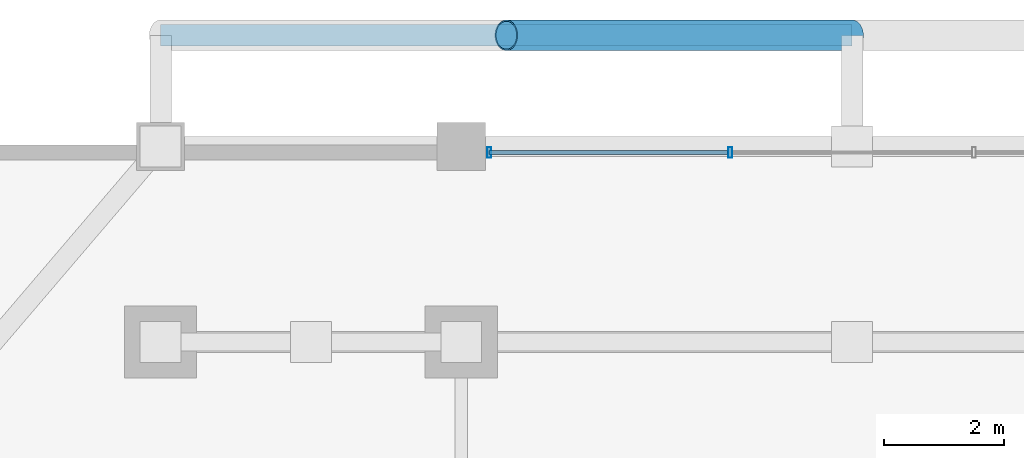
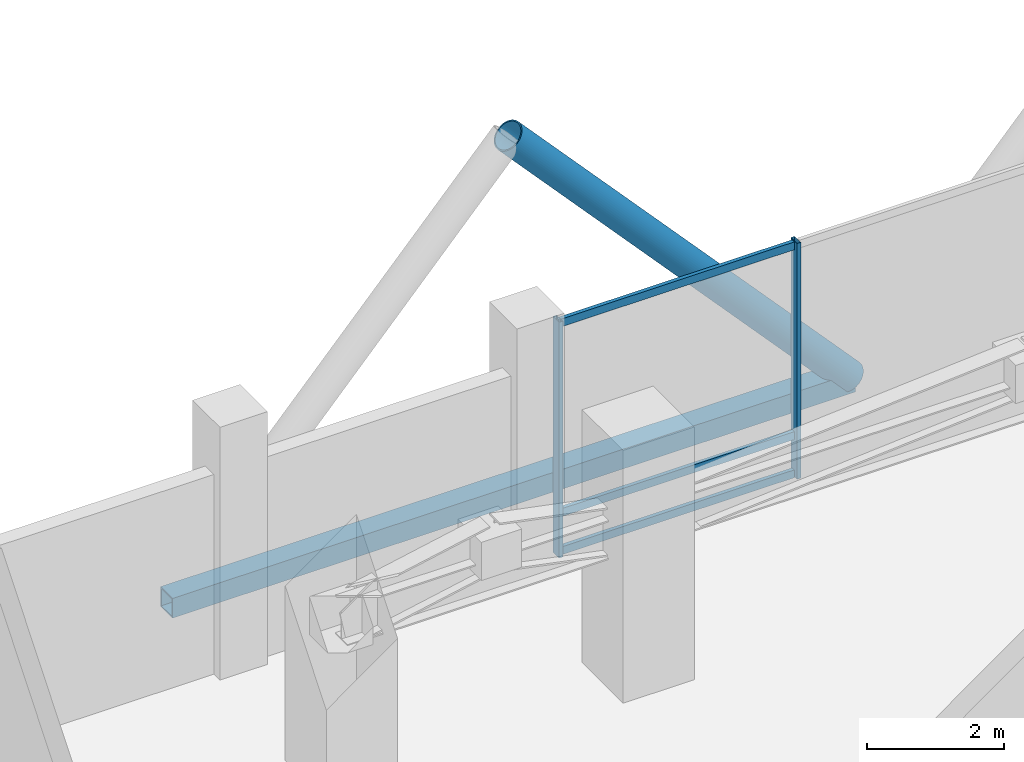
# One storey, part 14 of 22: 7 members, 1 element without a shape of its own.
"""IFC4 building model written with IfcOpenShell, lengths in metres."""

from ifc_helpers import new_model, si_unit, direction, frame, origin, origin_2d, place, context, subcontext, project, spatial, hollow_rectangle, hollow_circle, extrude, material, layer, layer_set, material_profile, profile_set, type_object, element, aggregate, save


model = new_model("IFC4")

# Units and contexts
model_context = context("Model", 3, precision=1e-05, world=origin(), true_north=direction((0.0, 1.0)))
body_context = subcontext(model_context, "Body", "Model", "MODEL_VIEW")
ifc_project = project(units=[si_unit("LENGTHUNIT", "METRE"), si_unit("AREAUNIT", "SQUARE_METRE"), si_unit("VOLUMEUNIT", "CUBIC_METRE"), si_unit("PLANEANGLEUNIT", "RADIAN"), si_unit("MASSUNIT", "GRAM", prefix="KILO")], contexts=[model_context])

# Site, building, storey
site_placement = place(None, origin())
site = spatial("IfcSite", under=ifc_project, at=site_placement, CompositionType="ELEMENT")
building_placement = place(site_placement, origin())
building = spatial("IfcBuilding", under=site, at=building_placement, Name="Barlavira Tower and Art Museum", CompositionType="ELEMENT")
storey_placement = place(building_placement, frame((0.0, 0.0, 120.60009765625)))
storey = spatial("IfcBuildingStorey", under=building, at=storey_placement, Name="L30", CompositionType="ELEMENT", Elevation=120.60009765625)

# Curtain wall, members
ifc_material_1 = material(Name="Low-iron coastal laminated glass", Category="glass")
ifc_layer = layer(ifc_material_1, 0.18994140625, Name="Low-iron coastal laminated glass")
ifc_layer_set = layer_set([ifc_layer], Name="Low-iron coastal laminated glass")
curtain_wall_type = type_object("IfcCurtainWallType", Name="Pale-Metal Unitised Curtain Wall Zone 2", PredefinedType="NOTDEFINED", material=ifc_layer_set)
curtain_wall_placement = place(storey_placement, origin())
curtain_wall = element("IfcCurtainWall", 1, at=curtain_wall_placement, inside=storey, type_object=curtain_wall_type, Name="L30 Curtain Wall CW2-L30-N-B3", PredefinedType="NOTDEFINED")
ifc_material_2 = material(Name="Pale anodised aluminium", Category="aluminium")
ifc_material_profile_1 = material_profile(ifc_material_2, hollow_rectangle(XDim=0.06494140625, YDim=0.179931640625, WallThickness=0.00390625, at=origin_2d()), Name="ALU-MULL 65x180x4")
ifc_profile_set_1 = profile_set([ifc_material_profile_1], Name="Pale anodised aluminium")
member_type_1 = type_object("IfcMemberType", Name="Curtain Wall Pale-Metal Mullion 65x180", PredefinedType="MULLION", material=ifc_profile_set_1)
member_1_placement = place(storey_placement, frame((-2.026611328125, 23.14990234375, 0.0), z_axis=(0.0, 0.0, 1.0), x_axis=(-1.0, 0.0, 0.0)))
member_1 = element("IfcMember", 2, at=member_1_placement, type_object=member_type_1, Name="CW2-L30-N-B3 Mullion 2", PredefinedType="MULLION", context=body_context, shape_type="SweptSolid", body=[
    extrude(hollow_rectangle(XDim=0.06494140625, YDim=0.179931640625, WallThickness=0.00390625, at=origin_2d()), origin(), (0.0, 0.0, 1.0), 4.199951171875),
])
member_2_placement = place(storey_placement, frame((-6.034912109375, 23.14990234375, 0.0), z_axis=(0.0, 0.0, 1.0), x_axis=(-1.0, 0.0, 0.0)))
member_2 = element("IfcMember", 3, at=member_2_placement, type_object=member_type_1, Name="CW2-L30-N-B3 Mullion 3", PredefinedType="MULLION", context=body_context, shape_type="SweptSolid", body=[
    extrude(hollow_rectangle(XDim=0.06494140625, YDim=0.179931640625, WallThickness=0.00390625, at=origin_2d()), origin(), (0.0, 0.0, 1.0), 4.199951171875),
])
ifc_material_profile_2 = material_profile(ifc_material_2, hollow_rectangle(XDim=0.06494140625, YDim=0.139892578125, WallThickness=0.00390625, at=origin_2d()), Name="ALU-TRAN 65x140x4")
ifc_profile_set_2 = profile_set([ifc_material_profile_2], Name="Pale anodised aluminium")
member_type_2 = type_object("IfcMemberType", Name="Curtain Wall Pale-Metal Transom 65x140", PredefinedType="USERDEFINED", material=ifc_profile_set_2)
member_3_placement = place(storey_placement, frame((-2.07177734375, 23.14990234375, 0.06982421875), z_axis=(-1.0, 0.0, 0.0), x_axis=(0.0, -1.0, 0.0)))
member_3 = element("IfcMember", 4, at=member_3_placement, type_object=member_type_2, Name="CW2-L30-N-B3 Transom 2.1", ObjectType="TRANSOM", PredefinedType="USERDEFINED", context=body_context, shape_type="SweptSolid", body=[
    extrude(hollow_rectangle(XDim=0.06494140625, YDim=0.139892578125, WallThickness=0.00390625, at=origin_2d()), origin(), (0.0, 0.0, 1.0), 3.963134765625),
])
member_4_placement = place(storey_placement, frame((-2.07177734375, 23.14990234375, 0.75), z_axis=(-1.0, 0.0, 0.0), x_axis=(0.0, -1.0, 0.0)))
member_4 = element("IfcMember", 5, at=member_4_placement, type_object=member_type_2, Name="CW2-L30-N-B3 Transom 2.2", ObjectType="TRANSOM", PredefinedType="USERDEFINED", context=body_context, shape_type="SweptSolid", body=[
    extrude(hollow_rectangle(XDim=0.06494140625, YDim=0.139892578125, WallThickness=0.00390625, at=origin_2d()), origin(), (0.0, 0.0, 1.0), 3.963134765625),
])
member_5_placement = place(storey_placement, frame((-2.07177734375, 23.14990234375, 4.1298828125), z_axis=(-1.0, 0.0, 0.0), x_axis=(0.0, -1.0, 0.0)))
member_5 = element("IfcMember", 6, at=member_5_placement, type_object=member_type_2, Name="CW2-L30-N-B3 Transom 2.3", ObjectType="TRANSOM", PredefinedType="USERDEFINED", context=body_context, shape_type="SweptSolid", body=[
    extrude(hollow_rectangle(XDim=0.06494140625, YDim=0.139892578125, WallThickness=0.00390625, at=origin_2d()), origin(), (0.0, 0.0, 1.0), 3.963134765625),
])
aggregate(curtain_wall, [member_1, member_2, member_3, member_4, member_5])

# Members
ifc_material_3 = material(Name="Steel S355", Category="steel")
ifc_material_profile_3 = material_profile(ifc_material_3, hollow_circle(Radius=0.25390625, WallThickness=0.022216796875, at=origin_2d()), Name="CHS 508.0x22.2")
ifc_profile_set_3 = profile_set([ifc_material_profile_3], Name="Steel S355")
member_type_3 = type_object("IfcMemberType", Name="Pale-Metal Exoskeleton Diagrid Tube CHS 508x22 Steel S355", PredefinedType="BRACE", material=ifc_profile_set_3)
member_6_placement = place(storey_placement, frame((0.0, 25.10009765625, -0.1201171875), z_axis=(-0.67412750573, 0.0, 0.738614991736), x_axis=(0.0, -1.0, 0.0)))
element("IfcMember", 7, at=member_6_placement, inside=storey, type_object=member_type_3, Name="L30 Exoskeleton Diagrid Tube N", PredefinedType="BRACE", context=body_context, shape_type="SweptSolid", body=[
    extrude(hollow_circle(Radius=0.25390625, WallThickness=0.022216796875, at=origin_2d()), origin(), (0.0, 0.0, 1.0), 8.529541015625),
])
ifc_material_profile_4 = material_profile(ifc_material_3, hollow_rectangle(XDim=0.35009765625, YDim=0.35009765625, WallThickness=0.02001953125, at=origin_2d()), Name="SHS 350x350x20.0")
ifc_profile_set_4 = profile_set([ifc_material_profile_4], Name="Steel S355")
member_type_4 = type_object("IfcMemberType", Name="Pale-Metal Exoskeleton Ring Strut SHS 350x350x20 Steel S355", PredefinedType="STRUT", material=ifc_profile_set_4)
member_7_placement = place(storey_placement, frame((-11.5, 25.10009765625, -0.1201171875), z_axis=(1.0, 0.0, 0.0), x_axis=(0.0, 1.0, 0.0)))
element("IfcMember", 8, at=member_7_placement, inside=storey, type_object=member_type_4, Name="L30 Exoskeleton Ring Strut N", PredefinedType="STRUT", context=body_context, shape_type="SweptSolid", body=[
    extrude(hollow_rectangle(XDim=0.35009765625, YDim=0.35009765625, WallThickness=0.02001953125, at=origin_2d()), origin(), (0.0, 0.0, 1.0), 11.5),
])

save(model, "model.ifc")
